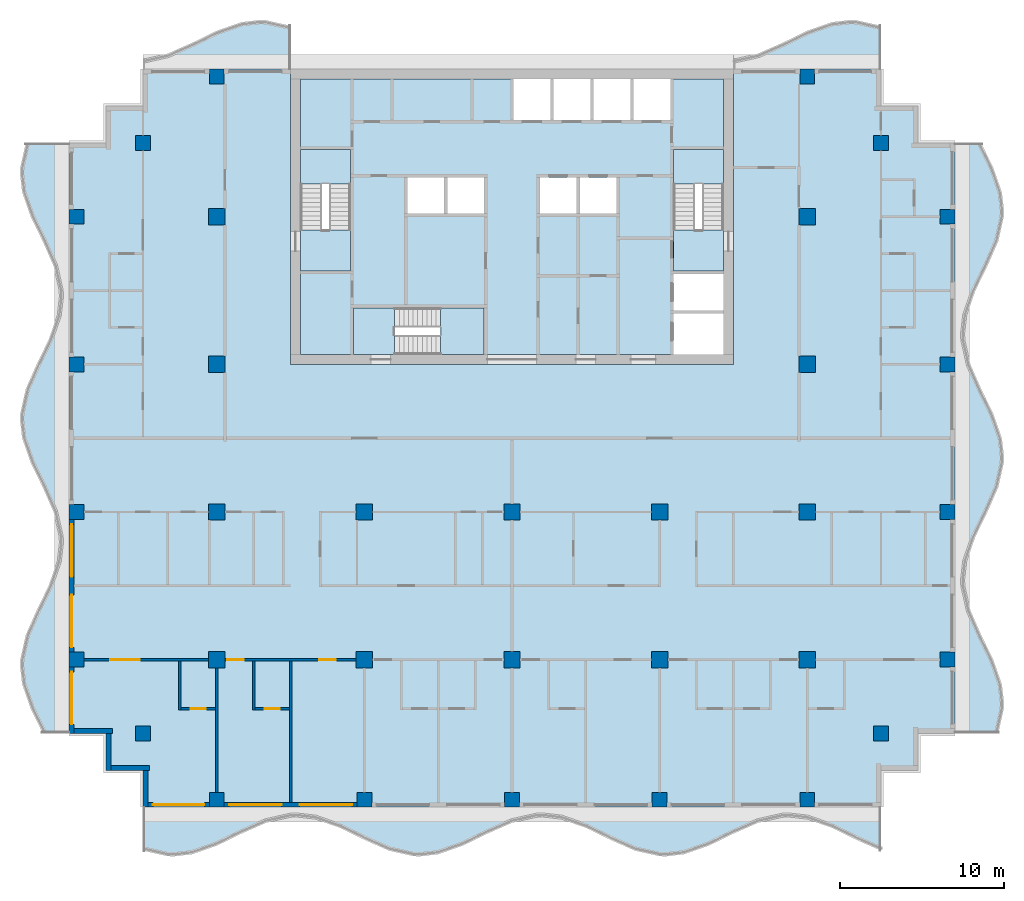
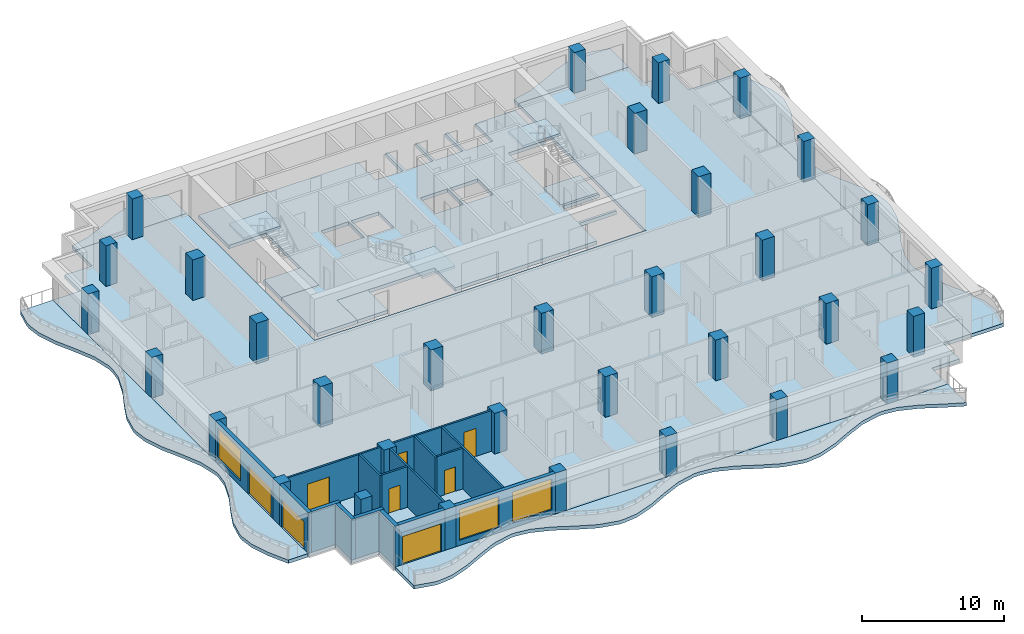
# One storey, part 1 of 11: 33 columns, 16 walls, 13 slabs, 8 doors, 3 windows, 11 openings, 3 elements without a shape of their own.
"""IFC4 building model written with IfcOpenShell, lengths in metres."""

from ifc_helpers import new_model, si_unit, direction, frame, frame_2d, origin, origin_2d, place, context, subcontext, project, spatial, polyline, rectangle, outline, extrude, material, layer, layer_set, material_profile, profile_set, type_object, element, fill, aggregate, save


model = new_model("IFC4")

# Units and contexts
model_context = context("Model", 3, precision=1e-05, world=origin(), true_north=direction((0.0, 1.0)))
body_context = subcontext(model_context, "Body", "Model", "MODEL_VIEW")
ifc_project = project(units=[si_unit("LENGTHUNIT", "METRE"), si_unit("AREAUNIT", "SQUARE_METRE"), si_unit("VOLUMEUNIT", "CUBIC_METRE"), si_unit("PLANEANGLEUNIT", "RADIAN"), si_unit("MASSUNIT", "GRAM", prefix="KILO")], contexts=[model_context])

# Site, building, storey
site_placement = place(None, origin())
site = spatial("IfcSite", under=ifc_project, at=site_placement, CompositionType="ELEMENT")
building_placement = place(site_placement, origin())
building = spatial("IfcBuilding", under=site, at=building_placement, Name="Orbiselva Terraces", CompositionType="ELEMENT")
storey_placement = place(building_placement, frame((0.0, 0.0, 246.4)))
storey = spatial("IfcBuildingStorey", under=building, at=storey_placement, Name="L62", CompositionType="ELEMENT", Elevation=246.4)

# Columns
ifc_material_1 = material(Name="Concrete C50/60", Category="concrete")
ifc_material_profile_1 = material_profile(ifc_material_1, rectangle(XDim=1.0, YDim=1.0, at=origin_2d()), Name="RC 1000x1000")
ifc_profile_set_1 = profile_set([ifc_material_profile_1], Name="Concrete C50/60")
column_type_1 = type_object("IfcColumnType", Name="COLUMN RC 1000x1000", PredefinedType="COLUMN", material=ifc_profile_set_1)
for number, where, z_axis, x_axis, name in (
    (1, (-18.0, -13.5, 0.0), (0.0, 0.0, 1.0), (1.0, 0.0, 0.0), "Column L62-01"),
    (2, (-18.0, -4.5, 0.0), (0.0, 0.0, 1.0), (1.0, 0.0, 0.0), "Column L62-03"),
    (3, (-18.0, 13.5, 0.0), (0.0, 0.0, 1.0), (1.0, 0.0, 0.0), "Column L62-04"),
    (4, (-18.0, 4.5, 0.0), (0.0, 0.0, 1.0), (1.0, 0.0, 0.0), "Column L62-06"),
    (5, (-9.0, -13.5, 0.0), (0.0, 0.0, 1.0), (1.0, 0.0, 0.0), "Column L62-13"),
    (6, (-9.0, -4.5, 0.0), (0.0, 0.0, 1.0), (1.0, 0.0, 0.0), "Column L62-15"),
    (7, (0.0, -13.5, 0.0), (0.0, 0.0, 1.0), (1.0, 0.0, 0.0), "Column L62-16"),
    (8, (0.0, -4.5, 0.0), (0.0, 0.0, 1.0), (1.0, 0.0, 0.0), "Column L62-18"),
    (9, (18.0, -13.5, 0.0), (0.0, 0.0, 1.0), (1.0, 0.0, 0.0), "Column L62-19"),
    (10, (18.0, -4.5, 0.0), (0.0, 0.0, 1.0), (1.0, 0.0, 0.0), "Column L62-21"),
    (11, (18.0, 13.5, 0.0), (0.0, 0.0, 1.0), (1.0, 0.0, 0.0), "Column L62-22"),
    (12, (18.0, 4.5, 0.0), (0.0, 0.0, 1.0), (1.0, 0.0, 0.0), "Column L62-24"),
    (13, (9.0, -13.5, 0.0), (0.0, 0.0, 1.0), (1.0, 0.0, 0.0), "Column L62-31"),
    (14, (9.0, -4.5, 0.0), (0.0, 0.0, 1.0), (1.0, 0.0, 0.0), "Column L62-33"),
):
    element("IfcColumn", number, at=place(storey_placement, frame(where, z_axis=z_axis, x_axis=x_axis)), inside=storey, type_object=column_type_1, Name=name, PredefinedType="COLUMN", context=body_context, shape_type="SweptSolid", body=[
        extrude(rectangle(XDim=1.0, YDim=1.0, at=origin_2d()), origin(), (0.0, 0.0, 1.0), 3.5),
    ])
ifc_material_profile_2 = material_profile(ifc_material_1, rectangle(XDim=0.9, YDim=0.9, at=origin_2d()), Name="RC 900x900")
ifc_profile_set_2 = profile_set([ifc_material_profile_2], Name="Concrete C50/60")
column_type_2 = type_object("IfcColumnType", Name="PERIMETER COLUMN RC 900x900", PredefinedType="COLUMN", material=ifc_profile_set_2)
for number, where, z_axis, x_axis, name in (
    (15, (-18.0, -22.05, 0.0), (0.0, 0.0, 1.0), (1.0, 0.0, 0.0), "Column L62-02"),
    (16, (-18.0, 22.05, 0.0), (0.0, 0.0, 1.0), (1.0, 0.0, 0.0), "Column L62-05"),
    (17, (-26.55, -13.5, 0.0), (0.0, 0.0, 1.0), (1.0, 0.0, 0.0), "Column L62-07"),
    (18, (-22.5, -18.0, 0.0), (0.0, 0.0, 1.0), (1.0, 0.0, 0.0), "Column L62-08"),
    (19, (-26.55, -4.5, 0.0), (0.0, 0.0, 1.0), (1.0, 0.0, 0.0), "Column L62-09"),
    (20, (-26.55, 13.5, 0.0), (0.0, 0.0, 1.0), (1.0, 0.0, 0.0), "Column L62-10"),
    (21, (-22.5, 18.0, 0.0), (0.0, 0.0, 1.0), (1.0, 0.0, 0.0), "Column L62-11"),
    (22, (-26.55, 4.5, 0.0), (0.0, 0.0, 1.0), (1.0, 0.0, 0.0), "Column L62-12"),
    (23, (-9.0, -22.05, 0.0), (0.0, 0.0, 1.0), (1.0, 0.0, 0.0), "Column L62-14"),
    (24, (0.0, -22.05, 0.0), (0.0, 0.0, 1.0), (1.0, 0.0, 0.0), "Column L62-17"),
    (25, (18.0, -22.05, 0.0), (0.0, 0.0, 1.0), (1.0, 0.0, 0.0), "Column L62-20"),
    (26, (18.0, 22.05, 0.0), (0.0, 0.0, 1.0), (1.0, 0.0, 0.0), "Column L62-23"),
    (27, (26.55, -13.5, 0.0), (0.0, 0.0, 1.0), (1.0, 0.0, 0.0), "Column L62-25"),
    (28, (22.5, -18.0, 0.0), (0.0, 0.0, 1.0), (1.0, 0.0, 0.0), "Column L62-26"),
    (29, (26.55, -4.5, 0.0), (0.0, 0.0, 1.0), (1.0, 0.0, 0.0), "Column L62-27"),
    (30, (26.55, 13.5, 0.0), (0.0, 0.0, 1.0), (1.0, 0.0, 0.0), "Column L62-28"),
    (31, (22.5, 18.0, 0.0), (0.0, 0.0, 1.0), (1.0, 0.0, 0.0), "Column L62-29"),
    (32, (26.55, 4.5, 0.0), (0.0, 0.0, 1.0), (1.0, 0.0, 0.0), "Column L62-30"),
    (33, (9.0, -22.05, 0.0), (0.0, 0.0, 1.0), (1.0, 0.0, 0.0), "Column L62-32"),
):
    element("IfcColumn", number, at=place(storey_placement, frame(where, z_axis=z_axis, x_axis=x_axis)), inside=storey, type_object=column_type_2, Name=name, PredefinedType="COLUMN", context=body_context, shape_type="SweptSolid", body=[
        extrude(rectangle(XDim=0.9, YDim=0.9, at=origin_2d()), origin(), (0.0, 0.0, 1.0), 3.5),
    ])

# Slabs
ifc_material_2 = material(Name="Concrete C40/50", Category="concrete")
ifc_layer_1 = layer(ifc_material_2, 0.3)
ifc_layer_set_1 = layer_set([ifc_layer_1], Name="Concrete C40/50")
slab_type_1 = type_object("IfcSlabType", Name="CORE-SLAB-FLOOR-300", PredefinedType="FLOOR", material=ifc_layer_set_1)
slab_1_placement = place(storey_placement, frame((0.0, 0.0, -0.3)))
element("IfcSlab", 34, at=slab_1_placement, inside=storey, type_object=slab_type_1, Name="L62 S1 floor landing", PredefinedType="FLOOR", context=body_context, shape_type="SweptSolid", body=[
    extrude(outline(polyline([(-12.9, 12.7), (-9.85, 12.7), (-9.85, 10.2), (-12.9, 10.2), (-12.9, 12.7)])), origin(), (0.0, 0.0, 1.0), 0.3),
])
slab_2_placement = place(storey_placement, frame((0.0, 0.0, -0.3)))
element("IfcSlab", 35, at=slab_2_placement, inside=storey, type_object=slab_type_1, Name="L62 S2 floor landing", PredefinedType="FLOOR", context=body_context, shape_type="SweptSolid", body=[
    extrude(outline(polyline([(12.9, 12.7), (12.9, 10.2), (9.85, 10.2), (9.85, 12.7), (12.9, 12.7)])), origin(), (0.0, 0.0, 1.0), 0.3),
])
slab_3_placement = place(storey_placement, frame((0.0, 0.0, -0.3)))
element("IfcSlab", 36, at=slab_3_placement, inside=storey, type_object=slab_type_1, Name="L62 S3 floor landing", PredefinedType="FLOOR", context=body_context, shape_type="SweptSolid", body=[
    extrude(outline(polyline([(-7.15, 5.1), (-9.65, 5.1), (-9.65, 7.95), (-7.15, 7.95), (-7.15, 5.1)])), origin(), (0.0, 0.0, 1.0), 0.3),
])
slab_4_placement = place(storey_placement, frame((0.0, 0.0, -0.3)))
element("IfcSlab", 37, at=slab_4_placement, inside=storey, type_object=slab_type_1, Name="L62 core floor slab 1", PredefinedType="FLOOR", context=body_context, shape_type="SweptSolid", body=[
    extrude(outline(polyline([(-1.7, 5.1), (-1.7, 7.95), (-9.65, 7.95), (-9.65, 5.1), (-12.9, 5.1), (-12.9, 10.2), (-9.85, 10.2), (-9.85, 17.6), (-12.9, 17.6), (-12.9, 21.9), (0.1, 21.9), (0.1, 19.4), (2.3375, 19.4), (2.3375, 21.9), (2.5375, 21.9), (2.5375, 19.4), (4.775, 19.4), (4.775, 21.9), (4.975, 21.9), (4.975, 19.4), (7.2125, 19.4), (7.2125, 21.9), (7.4125, 21.9), (7.4125, 19.4), (9.65, 19.4), (9.65, 21.9), (12.9, 21.9), (12.9, 17.6), (9.85, 17.6), (9.85, 10.2), (12.9, 10.2), (12.9, 10.0), (9.85, 10.0), (9.85, 7.8), (12.9, 7.8), (12.9, 7.6), (9.85, 7.6), (9.85, 5.1), (-1.7, 5.1)]), holes=[polyline([(-4.1375, 13.7), (-4.1375, 15.9), (-6.375, 15.9), (-6.375, 13.7), (-4.1375, 13.7)]), polyline([(-1.7, 13.7), (-1.7, 15.9), (-3.9375, 15.9), (-3.9375, 13.7), (-1.7, 13.7)]), polyline([(3.9375, 15.9), (1.7, 15.9), (1.7, 13.7), (3.9375, 13.7), (3.9375, 15.9)]), polyline([(6.375, 13.7), (6.375, 15.9), (4.1375, 15.9), (4.1375, 13.7), (6.375, 13.7)])]), origin(), (0.0, 0.0, 1.0), 0.3),
])

# Stair, slab
stair_type_1 = type_object("IfcStairType", Name="CORE-STAIR-1300", PredefinedType="HALF_TURN_STAIR", material=ifc_material_2)
stair_1_placement = place(storey_placement, origin())
stair_1 = element("IfcStair", 38, at=stair_1_placement, inside=storey, type_object=stair_type_1, Name="L62 Exit Stair S1", PredefinedType="HALF_TURN_STAIR")
ifc_layer_2 = layer(ifc_material_2, 0.2)
ifc_layer_set_2 = layer_set([ifc_layer_2], Name="Concrete C40/50")
slab_type_2 = type_object("IfcSlabType", Name="CORE-STAIR-LANDING-200", PredefinedType="LANDING", material=ifc_layer_set_2)
slab_5_placement = place(storey_placement, frame((0.0, 0.0, 1.7)))
slab_5 = element("IfcSlab", 39, at=slab_5_placement, type_object=slab_type_2, Name="S1 landing 1", PredefinedType="LANDING", context=body_context, shape_type="SweptSolid", body=[
    extrude(outline(polyline([(-9.85, 15.5), (-9.85, 17.6), (-12.9, 17.6), (-12.9, 15.5), (-9.85, 15.5)])), origin(), (0.0, 0.0, 1.0), 0.2),
])
aggregate(stair_1, [slab_5])

stair_2_placement = place(storey_placement, origin())
stair_2 = element("IfcStair", 40, at=stair_2_placement, inside=storey, type_object=stair_type_1, Name="L62 Exit Stair S2", PredefinedType="HALF_TURN_STAIR")
slab_6_placement = place(storey_placement, frame((0.0, 0.0, 1.7)))
slab_6 = element("IfcSlab", 41, at=slab_6_placement, type_object=slab_type_2, Name="S2 landing 1", PredefinedType="LANDING", context=body_context, shape_type="SweptSolid", body=[
    extrude(outline(polyline([(12.9, 15.5), (12.9, 17.6), (9.85, 17.6), (9.85, 15.5), (12.9, 15.5)])), origin(), (0.0, 0.0, 1.0), 0.2),
])
aggregate(stair_2, [slab_6])

stair_type_2 = type_object("IfcStairType", Name="CORE-STAIR-1200", PredefinedType="HALF_TURN_STAIR", material=ifc_material_2)
stair_3_placement = place(storey_placement, origin())
stair_3 = element("IfcStair", 42, at=stair_3_placement, inside=storey, type_object=stair_type_2, Name="L62 Exit Stair S3", PredefinedType="HALF_TURN_STAIR")
slab_7_placement = place(storey_placement, frame((0.0, 0.0, 1.7)))
slab_7 = element("IfcSlab", 43, at=slab_7_placement, type_object=slab_type_2, Name="S3 landing 1", PredefinedType="LANDING", context=body_context, shape_type="SweptSolid", body=[
    extrude(outline(polyline([(-4.35, 5.1), (-1.7, 5.1), (-1.7, 7.95), (-4.35, 7.95), (-4.35, 5.1)])), origin(), (0.0, 0.0, 1.0), 0.2),
])
aggregate(stair_3, [slab_7])

# Slabs
ifc_layer_3 = layer(ifc_material_1, 0.3)
ifc_layer_set_3 = layer_set([ifc_layer_3], Name="Concrete C50/60")
slab_type_3 = type_object("IfcSlabType", Name="ENV-BALCONY-SLAB-300", PredefinedType="FLOOR", material=ifc_layer_set_3)
slab_8_placement = place(storey_placement, frame((0.0, 0.0, -0.3)))
element("IfcSlab", 44, at=slab_8_placement, inside=storey, type_object=slab_type_3, Name="Balcony slab L62 S", PredefinedType="FLOOR", context=body_context, shape_type="SweptSolid", body=[
    extrude(outline(polyline([(-22.5, -25.148528), (-21.0, -25.485226), (-20.625, -25.5), (-19.5, -25.369208), (-18.0, -24.844789), (-16.5, -24.112279), (-15.0, -23.451472), (-13.5, -23.114774), (-13.125, -23.1), (-12.0, -23.230792), (-10.5, -23.755211), (-9.0, -24.487721), (-7.5, -25.148528), (-6.0, -25.485226), (-5.625, -25.5), (-4.5, -25.369208), (-3.0, -24.844789), (-1.5, -24.112279), (0.0, -23.451472), (1.5, -23.114774), (1.875, -23.1), (3.0, -23.230792), (4.5, -23.755211), (6.0, -24.487721), (7.5, -25.148528), (9.0, -25.485226), (9.375, -25.5), (10.5, -25.369208), (12.0, -24.844789), (13.5, -24.112279), (15.0, -23.451472), (16.5, -23.114774), (16.875, -23.1), (18.0, -23.230792), (19.5, -23.755211), (21.0, -24.487721), (22.5, -25.148528), (22.5, -22.5), (-22.5, -22.5), (-22.5, -25.148528)])), origin(), (0.0, 0.0, 1.0), 0.3),
])
slab_9_placement = place(storey_placement, frame((0.0, 0.0, -0.3)))
element("IfcSlab", 45, at=slab_9_placement, inside=storey, type_object=slab_type_3, Name="Balcony slab L62 E", PredefinedType="FLOOR", context=body_context, shape_type="SweptSolid", body=[
    extrude(outline(polyline([(29.648528, -18.0), (29.985226, -16.5), (30.0, -16.125), (29.869208, -15.0), (29.344789, -13.5), (28.612279, -12.0), (27.951472, -10.5), (27.614774, -9.0), (27.6, -8.625), (27.730792, -7.5), (28.255211, -6.0), (28.987721, -4.5), (29.648528, -3.0), (29.985226, -1.5), (30.0, -1.125), (29.869208, 0.0), (29.344789, 1.5), (28.612279, 3.0), (27.951472, 4.5), (27.614774, 6.0), (27.6, 6.375), (27.730792, 7.5), (28.255211, 9.0), (28.987721, 10.5), (29.648528, 12.0), (29.985226, 13.5), (30.0, 13.875), (29.869208, 15.0), (29.344789, 16.5), (28.612279, 18.0), (27.0, 18.0), (27.0, -18.0), (29.648528, -18.0)])), origin(), (0.0, 0.0, 1.0), 0.3),
])
slab_10_placement = place(storey_placement, frame((0.0, 0.0, -0.3)))
element("IfcSlab", 46, at=slab_10_placement, inside=storey, type_object=slab_type_3, Name="Balcony slab L62 NE", PredefinedType="FLOOR", context=body_context, shape_type="SweptSolid", body=[
    extrude(outline(polyline([(22.5, 25.148528), (21.0, 25.485226), (20.625, 25.5), (19.5, 25.369208), (18.0, 24.844789), (16.5, 24.112279), (15.0, 23.451472), (13.5, 23.114774), (13.5, 22.5), (22.5, 22.5), (22.5, 25.148528)])), origin(), (0.0, 0.0, 1.0), 0.3),
])
slab_11_placement = place(storey_placement, frame((0.0, 0.0, -0.3)))
element("IfcSlab", 47, at=slab_11_placement, inside=storey, type_object=slab_type_3, Name="Balcony slab L62 NW", PredefinedType="FLOOR", context=body_context, shape_type="SweptSolid", body=[
    extrude(outline(polyline([(-13.5, 25.148528), (-15.0, 25.485226), (-15.375, 25.5), (-16.5, 25.369208), (-18.0, 24.844789), (-19.5, 24.112279), (-21.0, 23.451472), (-22.5, 23.114774), (-22.5, 22.5), (-13.5, 22.5), (-13.5, 25.148528)])), origin(), (0.0, 0.0, 1.0), 0.3),
])
slab_12_placement = place(storey_placement, frame((0.0, 0.0, -0.3)))
element("IfcSlab", 48, at=slab_12_placement, inside=storey, type_object=slab_type_3, Name="Balcony slab L62 W", PredefinedType="FLOOR", context=body_context, shape_type="SweptSolid", body=[
    extrude(outline(polyline([(-29.648528, 18.0), (-29.985226, 16.5), (-30.0, 16.125), (-29.869208, 15.0), (-29.344789, 13.5), (-28.612279, 12.0), (-27.951472, 10.5), (-27.614774, 9.0), (-27.6, 8.625), (-27.730792, 7.5), (-28.255211, 6.0), (-28.987721, 4.5), (-29.648528, 3.0), (-29.985226, 1.5), (-30.0, 1.125), (-29.869208, 0.0), (-29.344789, -1.5), (-28.612279, -3.0), (-27.951472, -4.5), (-27.614774, -6.0), (-27.6, -6.375), (-27.730792, -7.5), (-28.255211, -9.0), (-28.987721, -10.5), (-29.648528, -12.0), (-29.985226, -13.5), (-30.0, -13.875), (-29.869208, -15.0), (-29.344789, -16.5), (-28.612279, -18.0), (-27.0, -18.0), (-27.0, 18.0), (-29.648528, 18.0)])), origin(), (0.0, 0.0, 1.0), 0.3),
])
ifc_layer_4 = layer(ifc_material_1, 0.3)
ifc_layer_set_4 = layer_set([ifc_layer_4], Name="Concrete C50/60")
slab_type_4 = type_object("IfcSlabType", Name="FLOOR SLAB 300", PredefinedType="FLOOR", material=ifc_layer_set_4)
slab_13_placement = place(storey_placement, frame((0.0, 0.0, -0.3)))
element("IfcSlab", 49, at=slab_13_placement, inside=storey, type_object=slab_type_4, Name="Floor slab L62", PredefinedType="FLOOR", context=body_context, shape_type="SweptSolid", body=[
    extrude(outline(polyline([(22.5, 22.5), (22.5, 20.25), (24.75, 20.25), (24.75, 18.0), (27.0, 18.0), (27.0, -18.0), (24.75, -18.0), (24.75, -20.25), (22.5, -20.25), (22.5, -22.5), (-22.5, -22.5), (-22.5, -20.25), (-24.75, -20.25), (-24.75, -18.0), (-27.0, -18.0), (-27.0, 18.0), (-24.75, 18.0), (-24.75, 20.25), (-22.5, 20.25), (-22.5, 22.5), (-13.5, 22.5), (-13.5, 4.5), (13.5, 4.5), (13.5, 22.5), (22.5, 22.5)])), origin(), (0.0, 0.0, 1.0), 0.3),
])

# Wall, opening, door
ifc_material_3 = material(Name="Terracotta cladding on masonry backing", Category="masonry")
ifc_layer_5 = layer(ifc_material_3, 0.3)
ifc_layer_set_5 = layer_set([ifc_layer_5], Name="Terracotta cladding on masonry backing")
wall_type_1 = type_object("IfcWallType", Name="ENV-WALL-TERRACOTTA-300", PredefinedType="SOLIDWALL", material=ifc_layer_set_5)
wall_1_placement = place(storey_placement, frame((-18.45, -22.35, 0.0), z_axis=(0.0, 0.0, 1.0), x_axis=(-1.0, 0.0, 0.0)))
wall_1 = element("IfcWall", 50, at=wall_1_placement, inside=storey, type_object=wall_type_1, Name="Facade wall L62 S", PredefinedType="SOLIDWALL", context=body_context, shape_type="SweptSolid", body=[
    extrude(rectangle(XDim=3.75, YDim=0.3, at=frame_2d((1.875, 0.0))), origin(), (0.0, 0.0, 1.0), 3.5),
])
opening_1_placement = place(wall_1_placement, frame((0.3, 0.0, 0.0)))
opening_1 = element("IfcOpeningElement", 51, at=opening_1_placement, cuts=wall_1, Name="Opening Z5-A-E13", PredefinedType="OPENING", context=body_context, shape_type="SweptSolid", body=[
    extrude(rectangle(XDim=3.15, YDim=2.4, at=frame_2d((1.575, 1.2))), frame((0.0, 0.16, 0.0), z_axis=(0.0, -1.0, 0.0), x_axis=(1.0, 0.0, 0.0)), (0.0, 0.0, 1.0), 0.32),
])
ifc_material_4 = material(Name="Clear low-e glazing in aluminium frame", Category="aluminium")
door_type_1 = type_object("IfcDoorType", Name="BALCONY DOOR 3150 X 2400", OperationType="DOUBLE_DOOR_SLIDING", PredefinedType="DOOR", material=ifc_material_4)
door_1_placement = place(opening_1_placement, origin())
door_1 = element("IfcDoor", 52, at=door_1_placement, inside=storey, type_object=door_type_1, Name="Z5-A-E13", OperationType="SINGLE_SWING_LEFT", OverallHeight=2.4, OverallWidth=3.15, PredefinedType="DOOR", context=body_context, shape_type="SweptSolid", body=[
    extrude(rectangle(XDim=3.15, YDim=2.4, at=frame_2d((1.575, 1.2))), frame((0.0, 0.025, 0.0), z_axis=(0.0, -1.0, 0.0), x_axis=(1.0, 0.0, 0.0)), (0.0, 0.0, 1.0), 0.05),
])
fill(opening_1, door_1)

# Wall, openings, windows
wall_2_placement = place(storey_placement, frame((-9.45, -22.35, 0.0), z_axis=(0.0, 0.0, 1.0), x_axis=(-1.0, 0.0, 0.0)))
wall_2 = element("IfcWall", 53, at=wall_2_placement, inside=storey, type_object=wall_type_1, Name="Facade wall L62 S", PredefinedType="SOLIDWALL", context=body_context, shape_type="SweptSolid", body=[
    extrude(rectangle(XDim=8.1, YDim=0.3, at=frame_2d((4.05, 0.0))), origin(), (0.0, 0.0, 1.0), 3.5),
])
opening_2_placement = place(wall_2_placement, frame((4.6, 0.0, 0.45)))
opening_2 = element("IfcOpeningElement", 54, at=opening_2_placement, cuts=wall_2, Name="Opening WN17", PredefinedType="OPENING", context=body_context, shape_type="SweptSolid", body=[
    extrude(rectangle(XDim=3.2, YDim=2.65, at=frame_2d((1.6, 1.325))), frame((0.0, 0.16, 0.0), z_axis=(0.0, -1.0, 0.0), x_axis=(1.0, 0.0, 0.0)), (0.0, 0.0, 1.0), 0.32),
])
opening_3_placement = place(wall_2_placement, frame((0.3, 0.0, 0.45)))
opening_3 = element("IfcOpeningElement", 55, at=opening_3_placement, cuts=wall_2, Name="Opening WN17", PredefinedType="OPENING", context=body_context, shape_type="SweptSolid", body=[
    extrude(rectangle(XDim=3.2, YDim=2.65, at=frame_2d((1.6, 1.325))), frame((0.0, 0.16, 0.0), z_axis=(0.0, -1.0, 0.0), x_axis=(1.0, 0.0, 0.0)), (0.0, 0.0, 1.0), 0.32),
])
window_type = type_object("IfcWindowType", Name="WINDOW 3200 X 2650 S450", PartitioningType="TRIPLE_PANEL_VERTICAL", PredefinedType="WINDOW", material=ifc_material_4)
window_1_placement = place(opening_2_placement, origin())
window_1 = element("IfcWindow", 56, at=window_1_placement, inside=storey, type_object=window_type, Name="Window L62 S", OverallHeight=2.65, OverallWidth=3.2, PartitioningType="SINGLE_PANEL", PredefinedType="WINDOW", context=body_context, shape_type="SweptSolid", body=[
    extrude(rectangle(XDim=3.2, YDim=2.65, at=frame_2d((1.6, 1.325))), frame((0.0, 0.03, 0.0), z_axis=(0.0, -1.0, 0.0), x_axis=(1.0, 0.0, 0.0)), (0.0, 0.0, 1.0), 0.06),
])
fill(opening_2, window_1)
window_2_placement = place(opening_3_placement, origin())
window_2 = element("IfcWindow", 57, at=window_2_placement, inside=storey, type_object=window_type, Name="Window L62 S", OverallHeight=2.65, OverallWidth=3.2, PartitioningType="SINGLE_PANEL", PredefinedType="WINDOW", context=body_context, shape_type="SweptSolid", body=[
    extrude(rectangle(XDim=3.2, YDim=2.65, at=frame_2d((1.6, 1.325))), frame((0.0, 0.03, 0.0), z_axis=(0.0, -1.0, 0.0), x_axis=(1.0, 0.0, 0.0)), (0.0, 0.0, 1.0), 0.06),
])
fill(opening_3, window_2)

# Wall, openings, door, window
wall_3_placement = place(storey_placement, frame((-26.85, -13.05, 0.0), z_axis=(0.0, 0.0, 1.0), x_axis=(0.0, 1.0, 0.0)))
wall_3 = element("IfcWall", 58, at=wall_3_placement, inside=storey, type_object=wall_type_1, Name="Facade wall L62 W", PredefinedType="SOLIDWALL", context=body_context, shape_type="SweptSolid", body=[
    extrude(rectangle(XDim=8.1, YDim=0.3, at=frame_2d((4.05, 0.0))), origin(), (0.0, 0.0, 1.0), 3.5),
])
opening_4_placement = place(wall_3_placement, frame((4.6, 0.0, 0.45)))
opening_4 = element("IfcOpeningElement", 59, at=opening_4_placement, cuts=wall_3, Name="Opening WN17", PredefinedType="OPENING", context=body_context, shape_type="SweptSolid", body=[
    extrude(rectangle(XDim=3.2, YDim=2.65, at=frame_2d((1.6, 1.325))), frame((0.0, 0.16, 0.0), z_axis=(0.0, -1.0, 0.0), x_axis=(1.0, 0.0, 0.0)), (0.0, 0.0, 1.0), 0.32),
])
opening_5_placement = place(wall_3_placement, frame((0.3, 0.0, 0.0)))
opening_5 = element("IfcOpeningElement", 60, at=opening_5_placement, cuts=wall_3, Name="Opening Z5-A-E23", PredefinedType="OPENING", context=body_context, shape_type="SweptSolid", body=[
    extrude(rectangle(XDim=3.2, YDim=2.4, at=frame_2d((1.6, 1.2))), frame((0.0, 0.16, 0.0), z_axis=(0.0, -1.0, 0.0), x_axis=(1.0, 0.0, 0.0)), (0.0, 0.0, 1.0), 0.32),
])
door_type_2 = type_object("IfcDoorType", Name="BALCONY DOOR 3200 X 2400", OperationType="DOUBLE_DOOR_SLIDING", PredefinedType="DOOR", material=ifc_material_4)
door_2_placement = place(opening_5_placement, origin())
door_2 = element("IfcDoor", 61, at=door_2_placement, inside=storey, type_object=door_type_2, Name="Z5-A-E23", OperationType="SINGLE_SWING_LEFT", OverallHeight=2.4, OverallWidth=3.2, PredefinedType="DOOR", context=body_context, shape_type="SweptSolid", body=[
    extrude(rectangle(XDim=3.2, YDim=2.4, at=frame_2d((1.6, 1.2))), frame((0.0, 0.025, 0.0), z_axis=(0.0, -1.0, 0.0), x_axis=(1.0, 0.0, 0.0)), (0.0, 0.0, 1.0), 0.05),
])
fill(opening_5, door_2)
window_3_placement = place(opening_4_placement, origin())
window_3 = element("IfcWindow", 62, at=window_3_placement, inside=storey, type_object=window_type, Name="Window L62 W", OverallHeight=2.65, OverallWidth=3.2, PartitioningType="SINGLE_PANEL", PredefinedType="WINDOW", context=body_context, shape_type="SweptSolid", body=[
    extrude(rectangle(XDim=3.2, YDim=2.65, at=frame_2d((1.6, 1.325))), frame((0.0, 0.03, 0.0), z_axis=(0.0, -1.0, 0.0), x_axis=(1.0, 0.0, 0.0)), (0.0, 0.0, 1.0), 0.06),
])
fill(opening_4, window_3)

# Wall, opening, door
wall_4_placement = place(storey_placement, frame((-26.85, -18.0, 0.0), z_axis=(0.0, 0.0, 1.0), x_axis=(0.0, 1.0, 0.0)))
wall_4 = element("IfcWall", 63, at=wall_4_placement, inside=storey, type_object=wall_type_1, Name="Facade wall L62 W", PredefinedType="SOLIDWALL", context=body_context, shape_type="SweptSolid", body=[
    extrude(rectangle(XDim=4.05, YDim=0.3, at=frame_2d((2.025, 0.0))), origin(), (0.0, 0.0, 1.0), 3.5),
])
opening_6_placement = place(wall_4_placement, frame((0.55, 0.0, 0.0)))
opening_6 = element("IfcOpeningElement", 64, at=opening_6_placement, cuts=wall_4, Name="Opening Z5-A-E12", PredefinedType="OPENING", context=body_context, shape_type="SweptSolid", body=[
    extrude(rectangle(XDim=3.2, YDim=2.4, at=frame_2d((1.6, 1.2))), frame((0.0, 0.16, 0.0), z_axis=(0.0, -1.0, 0.0), x_axis=(1.0, 0.0, 0.0)), (0.0, 0.0, 1.0), 0.32),
])
door_3_placement = place(opening_6_placement, origin())
door_3 = element("IfcDoor", 65, at=door_3_placement, inside=storey, type_object=door_type_2, Name="Z5-A-E12", OperationType="SINGLE_SWING_LEFT", OverallHeight=2.4, OverallWidth=3.2, PredefinedType="DOOR", context=body_context, shape_type="SweptSolid", body=[
    extrude(rectangle(XDim=3.2, YDim=2.4, at=frame_2d((1.6, 1.2))), frame((0.0, 0.025, 0.0), z_axis=(0.0, -1.0, 0.0), x_axis=(1.0, 0.0, 0.0)), (0.0, 0.0, 1.0), 0.05),
])
fill(opening_6, door_3)

# Walls
wall_5_placement = place(storey_placement, frame((-24.35, -17.85, 0.0), z_axis=(0.0, 0.0, 1.0), x_axis=(-1.0, 0.0, 0.0)))
element("IfcWall", 66, at=wall_5_placement, inside=storey, type_object=wall_type_1, Name="Facade wall L62 STEP", PredefinedType="SOLIDWALL", context=body_context, shape_type="SweptSolid", body=[
    extrude(rectangle(XDim=2.35, YDim=0.3, at=frame_2d((1.175, 0.0))), origin(), (0.0, 0.0, 1.0), 3.5),
])
wall_6_placement = place(storey_placement, frame((-24.6, -20.25, 0.0), z_axis=(0.0, 0.0, 1.0), x_axis=(0.0, 1.0, 0.0)))
element("IfcWall", 67, at=wall_6_placement, inside=storey, type_object=wall_type_1, Name="Facade wall L62 STEP", PredefinedType="SOLIDWALL", context=body_context, shape_type="SweptSolid", body=[
    extrude(rectangle(XDim=2.25, YDim=0.3, at=frame_2d((1.125, 0.0))), origin(), (0.0, 0.0, 1.0), 3.5),
])
wall_7_placement = place(storey_placement, frame((-22.1, -20.1, 0.0), z_axis=(0.0, 0.0, 1.0), x_axis=(-1.0, 0.0, 0.0)))
element("IfcWall", 68, at=wall_7_placement, inside=storey, type_object=wall_type_1, Name="Facade wall L62 STEP", PredefinedType="SOLIDWALL", context=body_context, shape_type="SweptSolid", body=[
    extrude(rectangle(XDim=2.35, YDim=0.3, at=frame_2d((1.175, 0.0))), origin(), (0.0, 0.0, 1.0), 3.5),
])
wall_8_placement = place(storey_placement, frame((-22.35, -22.5, 0.0), z_axis=(0.0, 0.0, 1.0), x_axis=(0.0, 1.0, 0.0)))
element("IfcWall", 69, at=wall_8_placement, inside=storey, type_object=wall_type_1, Name="Facade wall L62 STEP", PredefinedType="SOLIDWALL", context=body_context, shape_type="SweptSolid", body=[
    extrude(rectangle(XDim=2.25, YDim=0.3, at=frame_2d((1.125, 0.0))), origin(), (0.0, 0.0, 1.0), 3.5),
])

# Wall, opening, door
ifc_material_5 = material(Name="Plasterboard on steel stud partition", Category="steel")
ifc_layer_6 = layer(ifc_material_5, 0.15)
ifc_layer_set_6 = layer_set([ifc_layer_6], Name="Plasterboard on steel stud partition")
wall_type_2 = type_object("IfcWallType", Name="UNIT-PARTITION-150", PredefinedType="PARTITIONING", material=ifc_layer_set_6)
wall_9_placement = place(storey_placement, frame((-20.175, -16.5, 0.0), z_axis=(0.0, 0.0, 1.0), x_axis=(1.0, 0.0, 0.0)))
wall_9 = element("IfcWall", 70, at=wall_9_placement, inside=storey, type_object=wall_type_2, Name="PARTITION L62-001", PredefinedType="PARTITIONING", context=body_context, shape_type="SweptSolid", body=[
    extrude(rectangle(XDim=2.1, YDim=0.15, at=frame_2d((1.05, 0.0))), origin(), (0.0, 0.0, 1.0), 3.5),
])
opening_7_placement = place(wall_9_placement, frame((0.6, 0.0, 0.0)))
opening_7 = element("IfcOpeningElement", 71, at=opening_7_placement, cuts=wall_9, Name="Opening Z5-A-34", PredefinedType="OPENING", context=body_context, shape_type="SweptSolid", body=[
    extrude(rectangle(XDim=0.9, YDim=2.1, at=frame_2d((0.45, 1.05))), frame((0.0, 0.085, 0.0), z_axis=(0.0, -1.0, 0.0), x_axis=(1.0, 0.0, 0.0)), (0.0, 0.0, 1.0), 0.17),
])
ifc_material_6 = material(Name="Painted timber door leaf", Category="wood")
door_type_3 = type_object("IfcDoorType", Name="BATH DOOR 900", OperationType="NOTDEFINED", PredefinedType="DOOR", material=ifc_material_6)
door_4_placement = place(opening_7_placement, origin())
door_4 = element("IfcDoor", 72, at=door_4_placement, inside=storey, type_object=door_type_3, Name="Z5-A-34", OperationType="SINGLE_SWING_LEFT", OverallHeight=2.1, OverallWidth=0.9, PredefinedType="DOOR", context=body_context, shape_type="SweptSolid", body=[
    extrude(rectangle(XDim=0.9, YDim=2.1, at=frame_2d((0.45, 1.05))), frame((0.0, 0.025, 0.0), z_axis=(0.0, -1.0, 0.0), x_axis=(1.0, 0.0, 0.0)), (0.0, 0.0, 1.0), 0.05),
])
fill(opening_7, door_4)

wall_10_placement = place(storey_placement, frame((-15.675, -16.5, 0.0), z_axis=(0.0, 0.0, 1.0), x_axis=(1.0, 0.0, 0.0)))
wall_10 = element("IfcWall", 73, at=wall_10_placement, inside=storey, type_object=wall_type_2, Name="PARTITION L62-002", PredefinedType="PARTITIONING", context=body_context, shape_type="SweptSolid", body=[
    extrude(rectangle(XDim=2.1, YDim=0.15, at=frame_2d((1.05, 0.0))), origin(), (0.0, 0.0, 1.0), 3.5),
])
opening_8_placement = place(wall_10_placement, frame((0.6, 0.0, 0.0)))
opening_8 = element("IfcOpeningElement", 74, at=opening_8_placement, cuts=wall_10, Name="Opening Z5-A-32", PredefinedType="OPENING", context=body_context, shape_type="SweptSolid", body=[
    extrude(rectangle(XDim=0.9, YDim=2.1, at=frame_2d((0.45, 1.05))), frame((0.0, 0.085, 0.0), z_axis=(0.0, -1.0, 0.0), x_axis=(1.0, 0.0, 0.0)), (0.0, 0.0, 1.0), 0.17),
])
door_5_placement = place(opening_8_placement, origin())
door_5 = element("IfcDoor", 75, at=door_5_placement, inside=storey, type_object=door_type_3, Name="Z5-A-32", OperationType="SINGLE_SWING_LEFT", OverallHeight=2.1, OverallWidth=0.9, PredefinedType="DOOR", context=body_context, shape_type="SweptSolid", body=[
    extrude(rectangle(XDim=0.9, YDim=2.1, at=frame_2d((0.45, 1.05))), frame((0.0, 0.025, 0.0), z_axis=(0.0, -1.0, 0.0), x_axis=(1.0, 0.0, 0.0)), (0.0, 0.0, 1.0), 0.05),
])
fill(opening_8, door_5)

wall_11_placement = place(storey_placement, frame((-18.5, -13.5, 0.0), z_axis=(0.0, 0.0, 1.0), x_axis=(-1.0, 0.0, 0.0)))
wall_11 = element("IfcWall", 76, at=wall_11_placement, inside=storey, type_object=wall_type_2, Name="PARTITION L62-009", PredefinedType="PARTITIONING", context=body_context, shape_type="SweptSolid", body=[
    extrude(rectangle(XDim=7.6, YDim=0.15, at=frame_2d((3.8, 0.0))), origin(), (0.0, 0.0, 1.0), 3.5),
])
opening_9_placement = place(wall_11_placement, frame((4.2, 0.0, 0.0)))
opening_9 = element("IfcOpeningElement", 77, at=opening_9_placement, cuts=wall_11, Name="Opening Z5-A-33", PredefinedType="OPENING", context=body_context, shape_type="SweptSolid", body=[
    extrude(rectangle(XDim=1.8, YDim=2.4, at=frame_2d((0.9, 1.2))), frame((0.0, 0.085, 0.0), z_axis=(0.0, -1.0, 0.0), x_axis=(1.0, 0.0, 0.0)), (0.0, 0.0, 1.0), 0.17),
])
door_type_4 = type_object("IfcDoorType", Name="DOUBLE DOOR 1800", OperationType="NOTDEFINED", PredefinedType="DOOR", material=ifc_material_6)
door_6_placement = place(opening_9_placement, origin())
door_6 = element("IfcDoor", 78, at=door_6_placement, inside=storey, type_object=door_type_4, Name="Z5-A-33", OperationType="DOUBLE_DOOR_SINGLE_SWING", OverallHeight=2.4, OverallWidth=1.8, PredefinedType="DOOR", context=body_context, shape_type="SweptSolid", body=[
    extrude(rectangle(XDim=1.8, YDim=2.4, at=frame_2d((0.9, 1.2))), frame((0.0, 0.025, 0.0), z_axis=(0.0, -1.0, 0.0), x_axis=(1.0, 0.0, 0.0)), (0.0, 0.0, 1.0), 0.05),
])
fill(opening_9, door_6)

# Wall, openings, doors
wall_12_placement = place(storey_placement, frame((-9.5, -13.5, 0.0), z_axis=(0.0, 0.0, 1.0), x_axis=(-1.0, 0.0, 0.0)))
wall_12 = element("IfcWall", 79, at=wall_12_placement, inside=storey, type_object=wall_type_2, Name="PARTITION L62-010", PredefinedType="PARTITIONING", context=body_context, shape_type="SweptSolid", body=[
    extrude(rectangle(XDim=8.0, YDim=0.15, at=frame_2d((4.0, 0.0))), origin(), (0.0, 0.0, 1.0), 3.5),
])
opening_10_placement = place(wall_12_placement, frame((1.25, 0.0, 0.0)))
opening_10 = element("IfcOpeningElement", 80, at=opening_10_placement, cuts=wall_12, Name="Opening Z5-A-30", PredefinedType="OPENING", context=body_context, shape_type="SweptSolid", body=[
    extrude(rectangle(XDim=1.0, YDim=2.4, at=frame_2d((0.5, 1.2))), frame((0.0, 0.085, 0.0), z_axis=(0.0, -1.0, 0.0), x_axis=(1.0, 0.0, 0.0)), (0.0, 0.0, 1.0), 0.17),
])
opening_11_placement = place(wall_12_placement, frame((6.85, 0.0, 0.0)))
opening_11 = element("IfcOpeningElement", 81, at=opening_11_placement, cuts=wall_12, Name="Opening Z5-A-31", PredefinedType="OPENING", context=body_context, shape_type="SweptSolid", body=[
    extrude(rectangle(XDim=1.0, YDim=2.4, at=frame_2d((0.5, 1.2))), frame((0.0, 0.085, 0.0), z_axis=(0.0, -1.0, 0.0), x_axis=(1.0, 0.0, 0.0)), (0.0, 0.0, 1.0), 0.17),
])
door_type_5 = type_object("IfcDoorType", Name="ROOM DOOR 1000", OperationType="NOTDEFINED", PredefinedType="DOOR", material=ifc_material_6)
door_7_placement = place(opening_10_placement, origin())
door_7 = element("IfcDoor", 82, at=door_7_placement, inside=storey, type_object=door_type_5, Name="Z5-A-30", OperationType="SINGLE_SWING_LEFT", OverallHeight=2.4, OverallWidth=1.0, PredefinedType="DOOR", context=body_context, shape_type="SweptSolid", body=[
    extrude(rectangle(XDim=1.0, YDim=2.4, at=frame_2d((0.5, 1.2))), frame((0.0, 0.025, 0.0), z_axis=(0.0, -1.0, 0.0), x_axis=(1.0, 0.0, 0.0)), (0.0, 0.0, 1.0), 0.05),
])
fill(opening_10, door_7)
door_8_placement = place(opening_11_placement, origin())
door_8 = element("IfcDoor", 83, at=door_8_placement, inside=storey, type_object=door_type_5, Name="Z5-A-31", OperationType="SINGLE_SWING_RIGHT", OverallHeight=2.4, OverallWidth=1.0, PredefinedType="DOOR", context=body_context, shape_type="SweptSolid", body=[
    extrude(rectangle(XDim=1.0, YDim=2.4, at=frame_2d((0.5, 1.2))), frame((0.0, 0.025, 0.0), z_axis=(0.0, -1.0, 0.0), x_axis=(1.0, 0.0, 0.0)), (0.0, 0.0, 1.0), 0.05),
])
fill(opening_11, door_8)

# Walls
wall_13_placement = place(storey_placement, frame((-20.25, -16.575, 0.0), z_axis=(0.0, 0.0, 1.0), x_axis=(0.0, 1.0, 0.0)))
element("IfcWall", 84, at=wall_13_placement, inside=storey, type_object=wall_type_2, Name="PARTITION L62-047", PredefinedType="PARTITIONING", context=body_context, shape_type="SweptSolid", body=[
    extrude(rectangle(XDim=3.0, YDim=0.15, at=frame_2d((1.5, 0.0))), origin(), (0.0, 0.0, 1.0), 3.5),
])
wall_14_placement = place(storey_placement, frame((-18.0, -21.6, 0.0), z_axis=(0.0, 0.0, 1.0), x_axis=(0.0, 1.0, 0.0)))
element("IfcWall", 85, at=wall_14_placement, inside=storey, type_object=wall_type_2, Name="PARTITION L62-049", PredefinedType="PARTITIONING", context=body_context, shape_type="SweptSolid", body=[
    extrude(rectangle(XDim=7.6, YDim=0.15, at=frame_2d((3.8, 0.0))), origin(), (0.0, 0.0, 1.0), 3.5),
])
wall_15_placement = place(storey_placement, frame((-15.75, -16.575, 0.0), z_axis=(0.0, 0.0, 1.0), x_axis=(0.0, 1.0, 0.0)))
element("IfcWall", 86, at=wall_15_placement, inside=storey, type_object=wall_type_2, Name="PARTITION L62-053", PredefinedType="PARTITIONING", context=body_context, shape_type="SweptSolid", body=[
    extrude(rectangle(XDim=3.0, YDim=0.15, at=frame_2d((1.5, 0.0))), origin(), (0.0, 0.0, 1.0), 3.5),
])
wall_16_placement = place(storey_placement, frame((-13.5, -22.2, 0.0), z_axis=(0.0, 0.0, 1.0), x_axis=(0.0, 1.0, 0.0)))
element("IfcWall", 87, at=wall_16_placement, inside=storey, type_object=wall_type_2, Name="PARTITION L62-056", PredefinedType="PARTITIONING", context=body_context, shape_type="SweptSolid", body=[
    extrude(rectangle(XDim=8.625, YDim=0.15, at=frame_2d((4.3125, 0.0))), origin(), (0.0, 0.0, 1.0), 3.5),
])

save(model, "model.ifc")
